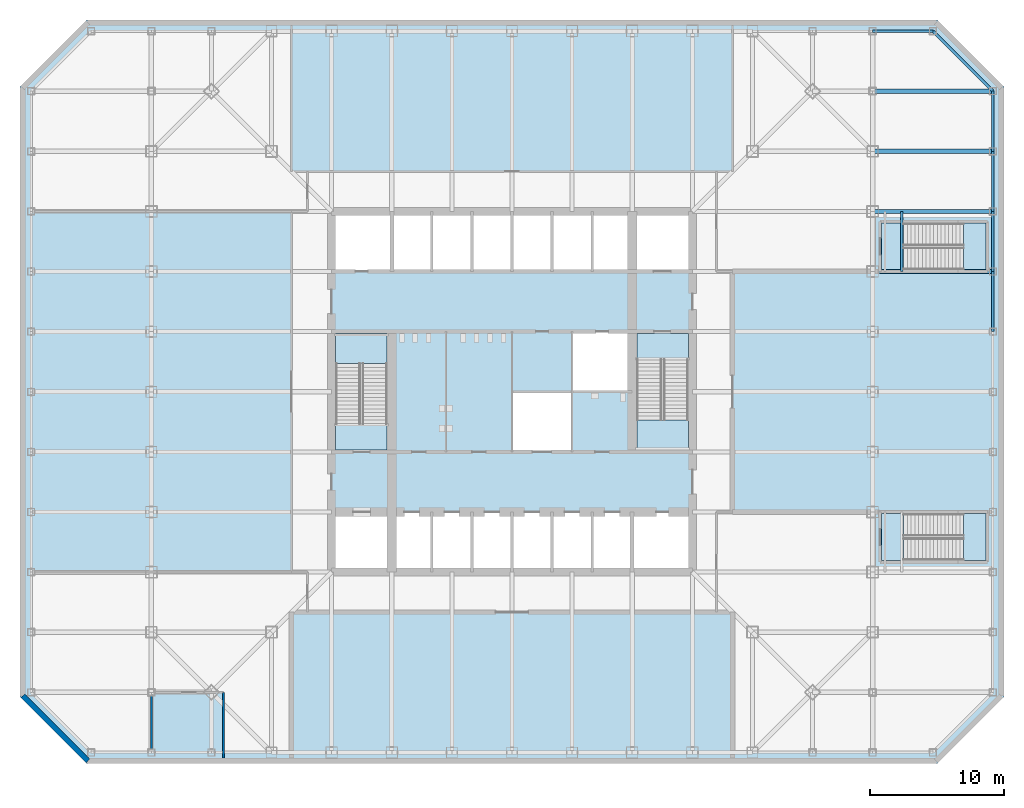
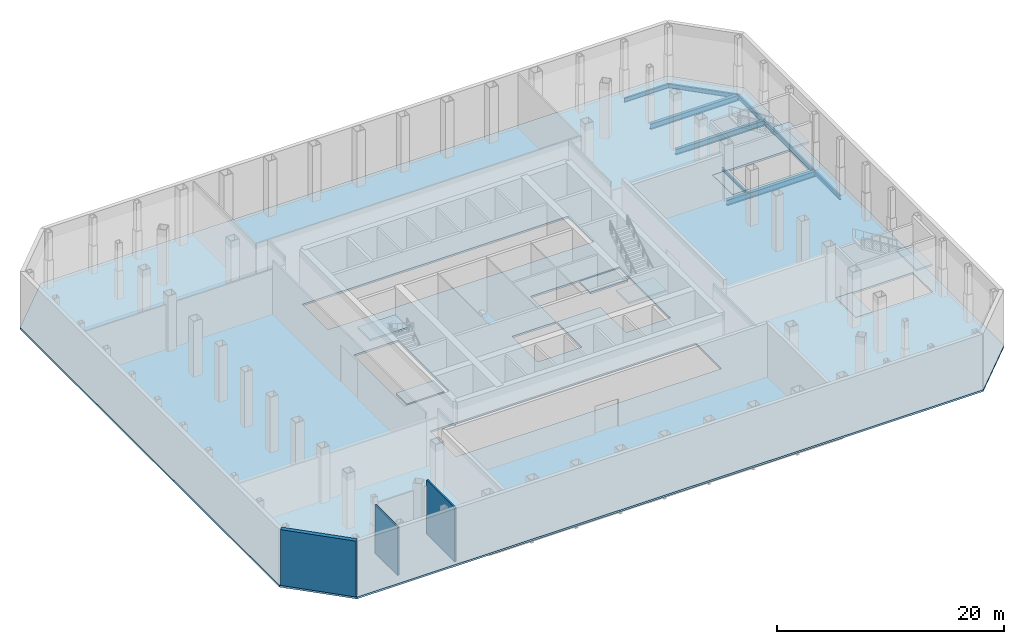
# One storey, part 5 of 12: 11 beams, 9 slabs, 3 walls, 4 elements without a shape of their own.
"""IFC4 building model written with IfcOpenShell, lengths in metres."""

from ifc_helpers import new_model, si_unit, direction, frame, frame_2d, origin, origin_2d, place, context, subcontext, project, spatial, polyline, rectangle, i_section, outline, extrude, material, layer, layer_set, material_profile, profile_set, type_object, element, aggregate, save


model = new_model("IFC4")

# Units and contexts
model_context = context("Model", 3, precision=1e-05, world=origin(), true_north=direction((0.0, 1.0)))
body_context = subcontext(model_context, "Body", "Model", "MODEL_VIEW")
ifc_project = project(units=[si_unit("LENGTHUNIT", "METRE"), si_unit("AREAUNIT", "SQUARE_METRE"), si_unit("VOLUMEUNIT", "CUBIC_METRE"), si_unit("PLANEANGLEUNIT", "RADIAN"), si_unit("MASSUNIT", "GRAM", prefix="KILO")], contexts=[model_context])

# Site, building, storey
site_placement = place(None, origin())
site = spatial("IfcSite", under=ifc_project, at=site_placement, CompositionType="ELEMENT")
building_placement = place(site_placement, origin())
building = spatial("IfcBuilding", under=site, at=building_placement, Name="Corais Broadcast Tower", CompositionType="ELEMENT")
storey_placement = place(building_placement, frame((0.0, 0.0, 6.0)))
storey = spatial("IfcBuildingStorey", under=building, at=storey_placement, Name="L01", CompositionType="ELEMENT", Elevation=6.0)

# Beams
ifc_material_1 = material(Name="Steel ASTM A572 Grade 50", Category="steel")
ifc_material_profile_1 = material_profile(ifc_material_1, i_section(OverallWidth=0.1650390625, OverallDepth=0.31005859375, WebThickness=0.005859375, FlangeThickness=0.009765625, at=origin_2d()), Name="W310x38.7")
ifc_profile_set_1 = profile_set([ifc_material_profile_1], Name="Steel ASTM A572 Grade 50")
beam_type_1 = type_object("IfcBeamType", Name="Landing trimmer W310x38.7", PredefinedType="BEAM", material=ifc_profile_set_1)
beam_1_placement = place(storey_placement, frame((56.175048828125, 36.0, -0.35498046875), z_axis=(0.0, 1.0, 0.0), x_axis=(-1.0, 0.0, 0.0)))
element("IfcBeam", 1, at=beam_1_placement, inside=storey, type_object=beam_type_1, Name="LT1 stair E landing trimmer L01", PredefinedType="BEAM", context=body_context, shape_type="SweptSolid", body=[
    extrude(i_section(OverallWidth=0.1650390625, OverallDepth=0.31005859375, WebThickness=0.005859375, FlangeThickness=0.009765625, at=origin_2d()), origin(), (0.0, 0.0, 1.0), 4.5),
])
ifc_material_2 = material(Name="Steel ASTM A572 Grade 50", Category="steel")
ifc_material_profile_2 = material_profile(ifc_material_2, i_section(OverallWidth=0.18994140625, OverallDepth=0.45703125, WebThickness=0.009033203125, FlangeThickness=0.014404296875, at=origin_2d()), Name="W460x74")
ifc_profile_set_2 = profile_set([ifc_material_profile_2], Name="Steel ASTM A572 Grade 50")
beam_type_2 = type_object("IfcBeamType", Name="Wing edge beam W460x74", PredefinedType="BEAM", material=ifc_profile_set_2)
for number, where, z_axis, x_axis, name in (
    (2, (58.5, 54.0, -0.428466796875), (-1.0, 0.0, 0.0), (0.0, -1.0, 0.0), "B7 N/16 to N/15"),
    (3, (63.0, 31.5, -0.428466796875), (0.0, 1.0, 0.0), (-1.0, 0.0, 0.0), "B7 H/17 to J/17"),
    (4, (63.0, 36.0, -0.428466796875), (0.0, 1.0, 0.0), (-1.0, 0.0, 0.0), "B7 J/17 to K/17"),
    (5, (63.0, 40.5, -0.428466796875), (0.0, 1.0, 0.0), (-1.0, 0.0, 0.0), "B7 K/17 to L/17"),
    (6, (63.0, 45.0, -0.428466796875), (0.0, 1.0, 0.0), (-1.0, 0.0, 0.0), "B7 L/17 to M/17"),
):
    element("IfcBeam", number, at=place(storey_placement, frame(where, z_axis=z_axis, x_axis=x_axis)), inside=storey, type_object=beam_type_2, Name=name, PredefinedType="BEAM", context=body_context, shape_type="SweptSolid", body=[
        extrude(i_section(OverallWidth=0.18994140625, OverallDepth=0.45703125, WebThickness=0.009033203125, FlangeThickness=0.014404296875, at=origin_2d()), origin(), (0.0, 0.0, 1.0), 4.5),
    ])
beam_2_placement = place(storey_placement, frame((63.0, 49.5, -0.428466796875), z_axis=(-0.707106781187, 0.707106781187, 0.0), x_axis=(-0.707106781187, -0.707106781187, 0.0)))
element("IfcBeam", 7, at=beam_2_placement, inside=storey, type_object=beam_type_2, Name="B7 M/17 to N/16", PredefinedType="BEAM", context=body_context, shape_type="SweptSolid", body=[
    extrude(i_section(OverallWidth=0.18994140625, OverallDepth=0.45703125, WebThickness=0.009033203125, FlangeThickness=0.014404296875, at=origin_2d()), origin(), (0.0, 0.0, 1.0), 6.364013671875),
])
ifc_material_3 = material(Name="Steel ASTM A572 Grade 50", Category="steel")
ifc_material_profile_3 = material_profile(ifc_material_3, i_section(OverallWidth=0.323974609375, OverallDepth=0.611083984375, WebThickness=0.0126953125, FlangeThickness=0.01904296875, at=origin_2d()), Name="W610x155")
ifc_profile_set_3 = profile_set([ifc_material_profile_3], Name="Steel ASTM A572 Grade 50")
beam_type_3 = type_object("IfcBeamType", Name="Wing girder W610x155", PredefinedType="BEAM", material=ifc_profile_set_3)
for number, where, z_axis, x_axis, name in (
    (8, (54.0, 36.0, -0.505615234375), (1.0, 0.0, 0.0), (0.0, 1.0, 0.0), "B11 J/15 to J/17"),
    (9, (54.0, 40.5, -0.505615234375), (1.0, 0.0, 0.0), (0.0, 1.0, 0.0), "B11 K/15 to K/17"),
    (10, (54.0, 45.0, -0.505615234375), (1.0, 0.0, 0.0), (0.0, 1.0, 0.0), "B11 L/15 to L/17"),
    (11, (54.0, 49.5, -0.505615234375), (1.0, 0.0, 0.0), (0.0, 1.0, 0.0), "B11 M/15 to M/17"),
):
    element("IfcBeam", number, at=place(storey_placement, frame(where, z_axis=z_axis, x_axis=x_axis)), inside=storey, type_object=beam_type_3, Name=name, PredefinedType="BEAM", context=body_context, shape_type="SweptSolid", body=[
        extrude(i_section(OverallWidth=0.323974609375, OverallDepth=0.611083984375, WebThickness=0.0126953125, FlangeThickness=0.01904296875, at=origin_2d()), origin(), (0.0, 0.0, 1.0), 9.0),
    ])

# Slab
ifc_material_4 = material(Name="Concrete C30/37", Category="concrete")
ifc_layer_1 = layer(ifc_material_4, 0.199951171875)
ifc_layer_set_1 = layer_set([ifc_layer_1], Name="Concrete C30/37")
slab_type_1 = type_object("IfcSlabType", Name="Composite floor slab 200", PredefinedType="FLOOR", material=ifc_layer_set_1)
slab_1_placement = place(storey_placement, frame((0.0, 0.0, -0.199951171875)))
element("IfcSlab", 12, at=slab_1_placement, inside=storey, type_object=slab_type_1, Name="S200 floor slab L01", PredefinedType="FLOOR", context=body_context, shape_type="SweptSolid", body=[
    extrude(outline(polyline([(-4.84375, -0.830078125), (-9.830078125, 4.15625), (-9.830078125, 49.84375), (-4.84375, 54.830078125), (58.84375, 54.830078125), (63.830078125, 49.84375), (63.830078125, 4.15625), (58.84375, -0.830078125), (-4.84375, -0.830078125)]), holes=[polyline([(13.5, 18.0), (40.5, 18.0), (40.5, 13.5), (13.5, 13.5), (13.5, 18.0)]), polyline([(18.0, 22.5), (13.5, 22.5), (13.5, 31.5), (18.0, 31.5), (18.0, 22.5)]), polyline([(13.5, 40.5), (40.5, 40.5), (40.5, 36.0), (13.5, 36.0), (13.5, 40.5)]), polyline([(27.0, 22.5), (27.0, 27.0), (31.4951171875, 27.0), (31.4951171875, 27.0048828125), (31.5, 27.0048828125), (31.5, 31.5), (40.5, 31.5), (40.5, 22.5), (36.0, 22.5), (36.0, 27.0), (31.5048828125, 27.0), (31.5048828125, 26.9951171875), (31.5, 26.9951171875), (31.5, 22.5), (27.0, 22.5)]), polyline([(54.675048828125, 14.39990234375), (54.675048828125, 17.85009765625), (62.47509765625, 17.85009765625), (62.47509765625, 14.39990234375), (54.675048828125, 14.39990234375)]), polyline([(54.675048828125, 36.14990234375), (54.675048828125, 39.60009765625), (62.47509765625, 39.60009765625), (62.47509765625, 36.14990234375), (54.675048828125, 36.14990234375)])]), origin(), (0.0, 0.0, 1.0), 0.199951171875),
])

# Stair, slabs
ifc_material_5 = material(Name="Concrete C30/37", Category="concrete")
stair_type_1 = type_object("IfcStairType", Name="Half-turn stair 6000", PredefinedType="HALF_TURN_STAIR", material=ifc_material_5)
stair_1_placement = place(storey_placement, origin())
stair_1 = element("IfcStair", 13, at=stair_1_placement, inside=storey, type_object=stair_type_1, Name="Stair A L01", PredefinedType="HALF_TURN_STAIR")
ifc_material_6 = material(Name="Concrete C30/37", Category="concrete")
ifc_layer_2 = layer(ifc_material_6, 0.199951171875)
ifc_layer_set_2 = layer_set([ifc_layer_2], Name="Concrete C30/37")
slab_type_2 = type_object("IfcSlabType", Name="Stair landing 200", PredefinedType="LANDING", material=ifc_layer_set_2)
slab_2_placement = place(storey_placement, frame((0.0, 0.0, -0.199951171875)))
slab_2 = element("IfcSlab", 14, at=slab_2_placement, type_object=slab_type_2, Name="STA landing 1", PredefinedType="LANDING", context=body_context, shape_type="SweptSolid", body=[
    extrude(outline(polyline([(13.800048828125, 22.64990234375), (17.64990234375, 22.64990234375), (17.64990234375, 24.60009765625), (13.800048828125, 24.60009765625), (13.800048828125, 22.64990234375)])), origin(), (0.0, 0.0, 1.0), 0.199951171875),
])
slab_3_placement = place(storey_placement, frame((0.0, 0.0, 2.800048828125)))
slab_3 = element("IfcSlab", 15, at=slab_3_placement, type_object=slab_type_2, Name="STA landing 2", PredefinedType="LANDING", context=body_context, shape_type="SweptSolid", body=[
    extrude(outline(polyline([(13.800048828125, 29.112060546875), (17.64990234375, 29.112060546875), (17.64990234375, 31.35009765625), (13.800048828125, 31.35009765625), (13.800048828125, 29.112060546875)])), origin(), (0.0, 0.0, 1.0), 0.199951171875),
])
aggregate(stair_1, [slab_2, slab_3])

stair_2_placement = place(storey_placement, origin())
stair_2 = element("IfcStair", 16, at=stair_2_placement, inside=storey, type_object=stair_type_1, Name="Stair B L01", PredefinedType="HALF_TURN_STAIR")
slab_4_placement = place(storey_placement, frame((0.0, 0.0, -0.199951171875)))
slab_4 = element("IfcSlab", 17, at=slab_4_placement, type_object=slab_type_2, Name="STB landing 1", PredefinedType="LANDING", context=body_context, shape_type="SweptSolid", body=[
    extrude(outline(polyline([(36.35009765625, 29.39990234375), (40.199951171875, 29.39990234375), (40.199951171875, 31.35009765625), (36.35009765625, 31.35009765625), (36.35009765625, 29.39990234375)])), origin(), (0.0, 0.0, 1.0), 0.199951171875),
])
slab_5_placement = place(storey_placement, frame((0.0, 0.0, 2.800048828125)))
slab_5 = element("IfcSlab", 18, at=slab_5_placement, type_object=slab_type_2, Name="STB landing 2", PredefinedType="LANDING", context=body_context, shape_type="SweptSolid", body=[
    extrude(outline(polyline([(36.35009765625, 22.64990234375), (40.199951171875, 22.64990234375), (40.199951171875, 24.887939453125), (36.35009765625, 24.887939453125), (36.35009765625, 22.64990234375)])), origin(), (0.0, 0.0, 1.0), 0.199951171875),
])
aggregate(stair_2, [slab_4, slab_5])

ifc_material_7 = material(Name="Concrete C30/37", Category="concrete")
stair_type_2 = type_object("IfcStairType", Name="Podium half-turn stair 6000", PredefinedType="HALF_TURN_STAIR", material=ifc_material_7)
stair_3_placement = place(storey_placement, origin())
stair_3 = element("IfcStair", 19, at=stair_3_placement, inside=storey, type_object=stair_type_2, Name="Stair D L01", PredefinedType="HALF_TURN_STAIR")
slab_6_placement = place(storey_placement, frame((0.0, 0.0, -0.199951171875)))
slab_6 = element("IfcSlab", 20, at=slab_6_placement, type_object=slab_type_2, Name="STD landing 1", PredefinedType="LANDING", context=body_context, shape_type="SweptSolid", body=[
    extrude(outline(polyline([(54.675048828125, 14.375), (56.324951171875, 14.375), (56.324951171875, 17.875), (54.675048828125, 17.875), (54.675048828125, 14.375)])), origin(), (0.0, 0.0, 1.0), 0.199951171875),
])
slab_7_placement = place(storey_placement, frame((0.0, 0.0, 2.800048828125)))
slab_7 = element("IfcSlab", 21, at=slab_7_placement, type_object=slab_type_2, Name="STD landing 2", PredefinedType="LANDING", context=body_context, shape_type="SweptSolid", body=[
    extrude(outline(polyline([(60.804931640625, 14.375), (62.47509765625, 14.375), (62.47509765625, 17.875), (60.804931640625, 17.875), (60.804931640625, 14.375)])), origin(), (0.0, 0.0, 1.0), 0.199951171875),
])
aggregate(stair_3, [slab_6, slab_7])

stair_4_placement = place(storey_placement, origin())
stair_4 = element("IfcStair", 22, at=stair_4_placement, inside=storey, type_object=stair_type_2, Name="Stair E L01", PredefinedType="HALF_TURN_STAIR")
slab_8_placement = place(storey_placement, frame((0.0, 0.0, -0.199951171875)))
slab_8 = element("IfcSlab", 23, at=slab_8_placement, type_object=slab_type_2, Name="STE landing 1", PredefinedType="LANDING", context=body_context, shape_type="SweptSolid", body=[
    extrude(outline(polyline([(54.675048828125, 36.125), (56.324951171875, 36.125), (56.324951171875, 39.625), (54.675048828125, 39.625), (54.675048828125, 36.125)])), origin(), (0.0, 0.0, 1.0), 0.199951171875),
])
slab_9_placement = place(storey_placement, frame((0.0, 0.0, 2.800048828125)))
slab_9 = element("IfcSlab", 24, at=slab_9_placement, type_object=slab_type_2, Name="STE landing 2", PredefinedType="LANDING", context=body_context, shape_type="SweptSolid", body=[
    extrude(outline(polyline([(60.804931640625, 36.125), (62.47509765625, 36.125), (62.47509765625, 39.625), (60.804931640625, 39.625), (60.804931640625, 36.125)])), origin(), (0.0, 0.0, 1.0), 0.199951171875),
])
aggregate(stair_4, [slab_8, slab_9])

# Walls
ifc_material_8 = material(Name="Gypsum board on steel studs", Category="steel")
ifc_layer_3 = layer(ifc_material_8, 0.14990234375)
ifc_layer_set_3 = layer_set([ifc_layer_3], Name="Gypsum board on steel studs")
wall_type_1 = type_object("IfcWallType", Name="Partition 150", PredefinedType="PARTITIONING", material=ifc_layer_set_3)
wall_1_placement = place(storey_placement, frame((5.39990234375, -0.429931640625, 0.0), z_axis=(0.0, 0.0, 1.0), x_axis=(0.0, 1.0, 0.0)))
element("IfcWall", 25, at=wall_1_placement, inside=storey, type_object=wall_type_1, Name="IW3 partition L01", PredefinedType="PARTITIONING", context=body_context, shape_type="SweptSolid", body=[
    extrude(rectangle(XDim=4.929931640625, YDim=0.14990234375, at=frame_2d((2.46484375, 0.0))), origin(), (0.0, 0.0, 1.0), 5.800048828125),
])
wall_2_placement = place(storey_placement, frame((0.0, 4.239990234375, 0.0), z_axis=(0.0, 0.0, 1.0), x_axis=(0.0, -1.0, 0.0)))
element("IfcWall", 26, at=wall_2_placement, inside=storey, type_object=wall_type_1, Name="IW3 partition L01", PredefinedType="PARTITIONING", context=body_context, shape_type="SweptSolid", body=[
    extrude(rectangle(XDim=3.97998046875, YDim=0.14990234375, at=frame_2d((1.989990234375, 0.0))), origin(), (0.0, 0.0, 1.0), 5.18896484375),
])
ifc_material_9 = material(Name="Precast concrete C40/50", Category="concrete")
ifc_layer_4 = layer(ifc_material_9, 0.39990234375)
ifc_layer_set_4 = layer_set([ifc_layer_4], Name="Precast concrete C40/50")
wall_type_2 = type_object("IfcWallType", Name="Stone-faced acoustic wall 400", PredefinedType="SOLIDWALL", material=ifc_layer_set_4)
wall_3_placement = place(storey_placement, frame((-4.760986328125, -0.6298828125, 0.0), z_axis=(0.0, 0.0, 1.0), x_axis=(-0.707106781187, 0.707106781187, 0.0)))
element("IfcWall", 27, at=wall_3_placement, inside=storey, type_object=wall_type_2, Name="EW2 external wall L01 1", PredefinedType="SOLIDWALL", context=body_context, shape_type="SweptSolid", body=[
    extrude(rectangle(XDim=6.8857421875, YDim=0.39990234375, at=frame_2d((3.44287109375, 0.0))), origin(), (0.0, 0.0, 1.0), 6.0),
])

save(model, "model.ifc")
